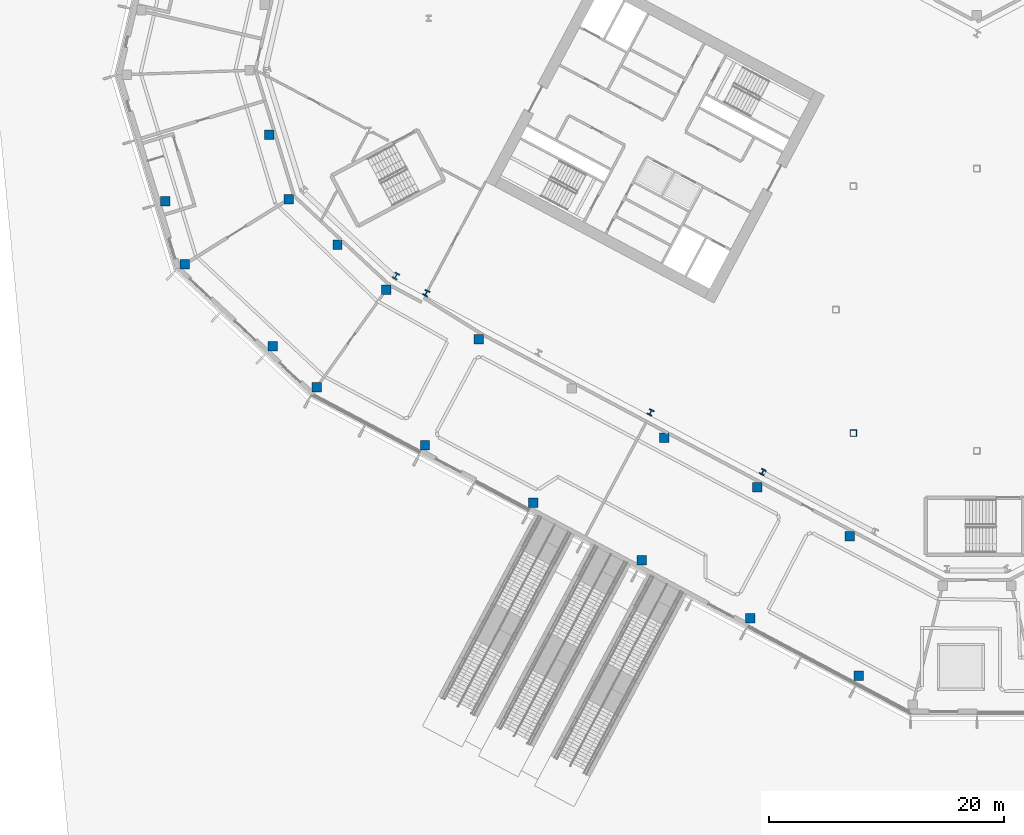
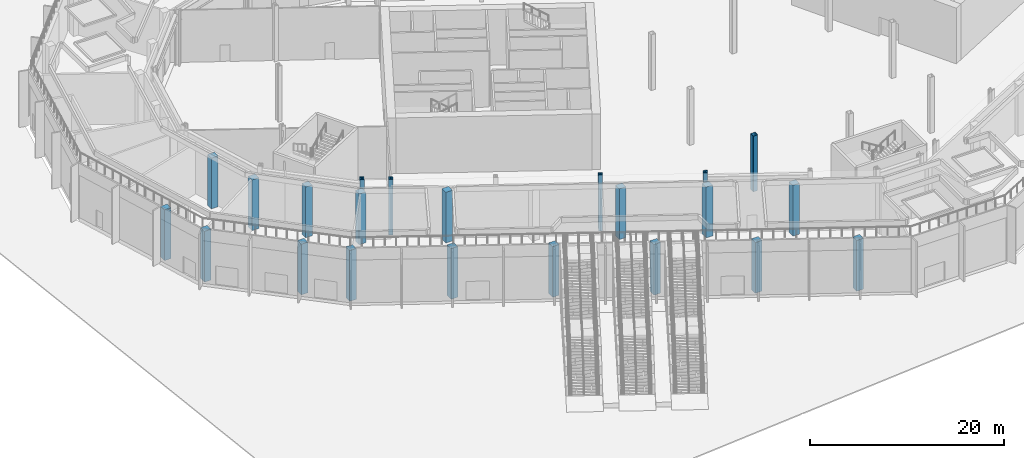
# One storey, part 1 of 57: 22 columns.
"""IFC4 building model written with IfcOpenShell, lengths in metres."""

from ifc_helpers import new_model, si_unit, direction, frame, origin, origin_2d, place, context, subcontext, project, spatial, rectangle, hollow_rectangle, i_section, extrude, material, material_profile, profile_set, type_object, element, save


model = new_model("IFC4")

# Units and contexts
model_context = context("Model", 3, precision=1e-05, world=origin(), true_north=direction((0.0, 1.0)))
body_context = subcontext(model_context, "Body", "Model", "MODEL_VIEW")
ifc_project = project(units=[si_unit("LENGTHUNIT", "METRE"), si_unit("AREAUNIT", "SQUARE_METRE"), si_unit("VOLUMEUNIT", "CUBIC_METRE"), si_unit("PLANEANGLEUNIT", "RADIAN"), si_unit("MASSUNIT", "GRAM", prefix="KILO")], contexts=[model_context])

# Site, building, storey
site_placement = place(None, origin())
site = spatial("IfcSite", under=ifc_project, at=site_placement, CompositionType="ELEMENT")
building_placement = place(site_placement, origin())
building = spatial("IfcBuilding", under=site, at=building_placement, Name="Cormorant Relay Tower", CompositionType="ELEMENT")
storey_placement = place(building_placement, origin())
storey = spatial("IfcBuildingStorey", under=building, at=storey_placement, Name="L00", CompositionType="ELEMENT", Elevation=0.0)

# Columns
ifc_material_1 = material(Name="Concrete 50 MPa", Category="concrete")
ifc_material_profile_1 = material_profile(ifc_material_1, rectangle(XDim=0.800048828125, YDim=0.800048828125, at=origin_2d()), Name="RC 800x800")
ifc_profile_set_1 = profile_set([ifc_material_profile_1], Name="Concrete 50 MPa")
column_type_1 = type_object("IfcColumnType", Name="Base column 800 x 800", PredefinedType="COLUMN", material=ifc_profile_set_1)
for number, where, z_axis, x_axis, name in (
    (1, (-10.051025390625, -31.1240234375, 0.0), (0.0, 0.0, 1.0), (1.0, 0.0, 0.0), "Base column"),
    (2, (-19.27099609375, -26.221923828125, 0.0), (0.0, 0.0, 1.0), (1.0, 0.0, 0.0), "Base column"),
    (3, (-28.490966796875, -21.320068359375, 0.0), (0.0, 0.0, 1.0), (1.0, 0.0, 0.0), "Base column"),
    (4, (-10.80908203125, -19.282958984375, 0.0), (0.0, 0.0, 1.0), (1.0, 0.0, 0.0), "Base column"),
    (5, (-37.7109375, -16.4169921875, 0.0), (0.0, 0.0, 1.0), (1.0, 0.0, 0.0), "Base column"),
    (6, (-18.694091796875, -15.090087890625, 0.0), (0.0, 0.0, 1.0), (1.0, 0.0, 0.0), "Base column"),
    (7, (-46.930908203125, -11.514892578125, 0.0), (0.0, 0.0, 1.0), (1.0, 0.0, 0.0), "Base column"),
    (8, (-26.5791015625, -10.89697265625, 0.0), (0.0, 0.0, 1.0), (1.0, 0.0, 0.0), "Base column"),
    (9, (-56.152099609375, -6.612060546875, 0.0), (0.0, 0.0, 1.0), (1.0, 0.0, 0.0), "Base column"),
    (10, (-59.89306640625, -3.1240234375, 0.0), (0.0, 0.0, 1.0), (1.0, 0.0, 0.0), "Base column"),
    (11, (-42.35009765625, -2.511962890625, 0.0), (0.0, 0.0, 1.0), (1.0, 0.0, 0.0), "Base column"),
    (12, (-50.236083984375, 1.680908203125, 0.0), (0.0, 0.0, 1.0), (1.0, 0.0, 0.0), "Base column"),
    (13, (-67.375, 3.85302734375, 0.0), (0.0, 0.0, 1.0), (1.0, 0.0, 0.0), "Base column"),
    (14, (-54.3720703125, 5.5380859375, 0.0), (0.0, 0.0, 1.0), (1.0, 0.0, 0.0), "Base column"),
    (15, (-69.01904296875, 9.23193359375, 0.0), (0.0, 0.0, 1.0), (1.0, 0.0, 0.0), "Base column"),
    (16, (-58.507080078125, 9.39404296875, 0.0), (0.0, 0.0, 1.0), (1.0, 0.0, 0.0), "Base column"),
    (17, (-60.18310546875, 14.8740234375, 0.0), (0.0, 0.0, 1.0), (1.0, 0.0, 0.0), "Base column"),
):
    element("IfcColumn", number, at=place(storey_placement, frame(where, z_axis=z_axis, x_axis=x_axis)), inside=storey, type_object=column_type_1, Name=name, PredefinedType="COLUMN", context=body_context, shape_type="SweptSolid", body=[
        extrude(rectangle(XDim=0.800048828125, YDim=0.800048828125, at=origin_2d()), origin(), (0.0, 0.0, 1.0), 6.3701171875),
    ])
ifc_material_2 = material(Name="Steel ASTM A1085 Grade A (Fy 345 MPa)", Category="steel")
ifc_material_profile_2 = material_profile(ifc_material_2, hollow_rectangle(XDim=0.558837890625, YDim=0.558837890625, WallThickness=0.023681640625, InnerFilletRadius=0.01171875, OuterFilletRadius=0.035400390625, at=origin_2d()), Name="HSS559x559x24")
ifc_profile_set_2 = profile_set([ifc_material_profile_2], Name="Steel ASTM A1085 Grade A (Fy 345 MPa)")
column_type_2 = type_object("IfcColumnType", Name="Column HSS559x559x24", PredefinedType="COLUMN", material=ifc_profile_set_2)
column_1_placement = place(storey_placement, frame((-10.5, -10.5, 0.0), z_axis=(0.0, 0.0, 1.0), x_axis=(1.0, 0.0, 0.0)))
element("IfcColumn", 18, at=column_1_placement, inside=storey, type_object=column_type_2, Name="Column L00-009", PredefinedType="COLUMN", context=body_context, shape_type="SweptSolid", body=[
    extrude(hollow_rectangle(XDim=0.558837890625, YDim=0.558837890625, WallThickness=0.023681640625, InnerFilletRadius=0.01171875, OuterFilletRadius=0.035400390625, at=origin_2d()), origin(), (0.0, 0.0, 1.0), 7.0),
])
ifc_material_3 = material(Name="Steel ASTM A992 (Fy 345 MPa)", Category="steel")
ifc_material_profile_3 = material_profile(ifc_material_3, i_section(OverallWidth=0.45458984375, OverallDepth=0.569091796875, WebThickness=0.077880859375, FlangeThickness=0.124755859375, FilletRadius=0.015380859375, at=origin_2d()), Name="W360x1086")
ifc_profile_set_3 = profile_set([ifc_material_profile_3], Name="Steel ASTM A992 (Fy 345 MPa)")
column_type_3 = type_object("IfcColumnType", Name="Column W360x1086", PredefinedType="COLUMN", material=ifc_profile_set_3)
column_2_placement = place(storey_placement, frame((-49.39404296875, 2.861083984375, 0.0), z_axis=(0.0, 0.0, 1.0), x_axis=(0.882947592859, -0.469471562786, 0.0)))
element("IfcColumn", 19, at=column_2_placement, inside=storey, type_object=column_type_3, Name="Column L00-018", PredefinedType="COLUMN", context=body_context, shape_type="SweptSolid", body=[
    extrude(i_section(OverallWidth=0.45458984375, OverallDepth=0.569091796875, WebThickness=0.077880859375, FlangeThickness=0.124755859375, FilletRadius=0.015380859375, at=origin_2d()), origin(), (0.0, 0.0, 1.0), 7.0),
])
ifc_material_4 = material(Name="Steel ASTM A992 (Fy 345 MPa)", Category="steel")
ifc_material_profile_4 = material_profile(ifc_material_4, i_section(OverallWidth=0.43701171875, OverallDepth=0.51318359375, WebThickness=0.060546875, FlangeThickness=0.096923828125, FilletRadius=0.015380859375, at=origin_2d()), Name="W360x818")
ifc_profile_set_4 = profile_set([ifc_material_profile_4], Name="Steel ASTM A992 (Fy 345 MPa)")
column_type_4 = type_object("IfcColumnType", Name="Column W360x818", PredefinedType="COLUMN", material=ifc_profile_set_4)
for number, where, z_axis, x_axis, name in (
    (20, (-18.212890625, -13.804931640625, 0.0), (0.0, 0.0, 1.0), (0.882947592859, -0.469471562786, 0.0), "Column L00-006"),
    (21, (-27.7490234375, -8.735107421875, 0.0), (0.0, 0.0, 1.0), (0.882947592859, -0.469471562786, 0.0), "Column L00-011"),
    (22, (-46.821044921875, 1.405029296875, 0.0), (0.0, 0.0, 1.0), (0.882947592859, -0.469471562786, 0.0), "Column L00-017"),
):
    element("IfcColumn", number, at=place(storey_placement, frame(where, z_axis=z_axis, x_axis=x_axis)), inside=storey, type_object=column_type_4, Name=name, PredefinedType="COLUMN", context=body_context, shape_type="SweptSolid", body=[
        extrude(i_section(OverallWidth=0.43701171875, OverallDepth=0.51318359375, WebThickness=0.060546875, FlangeThickness=0.096923828125, FilletRadius=0.015380859375, at=origin_2d()), origin(), (0.0, 0.0, 1.0), 7.0),
    ])

save(model, "model.ifc")
